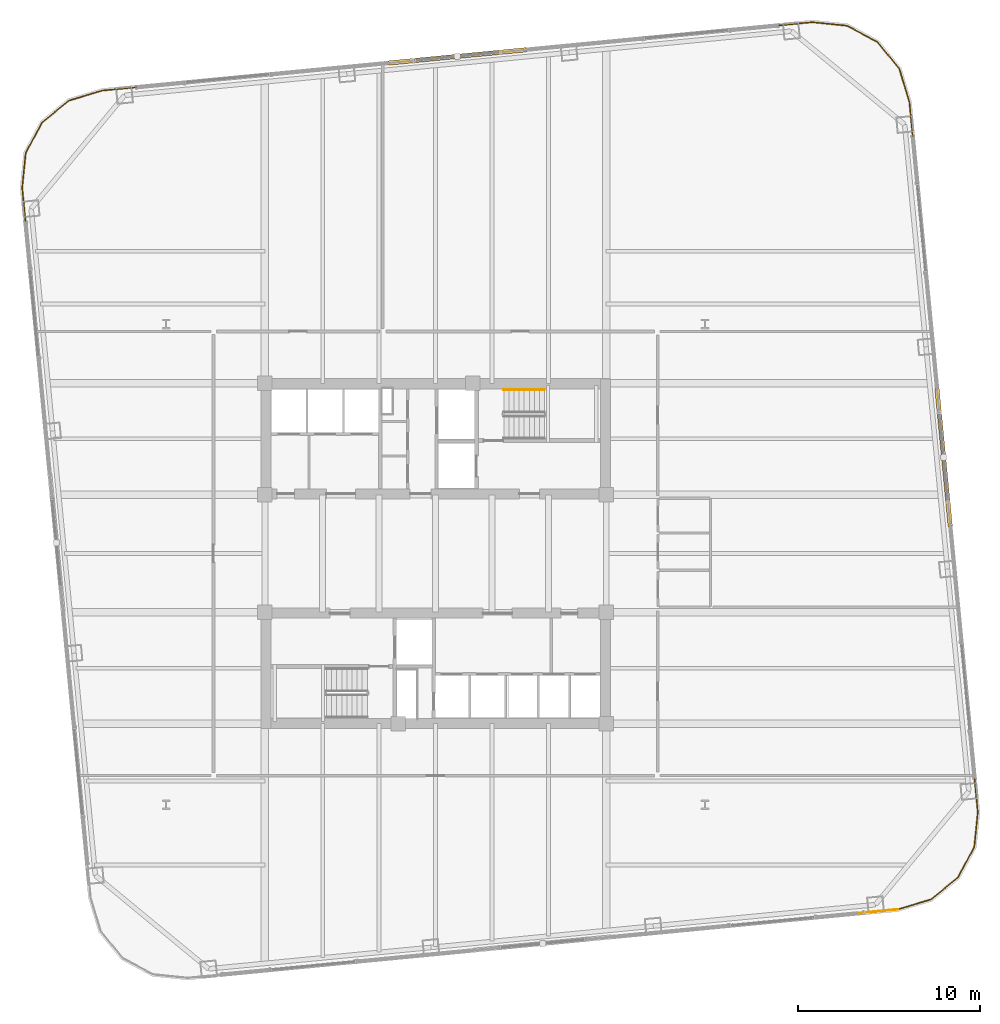
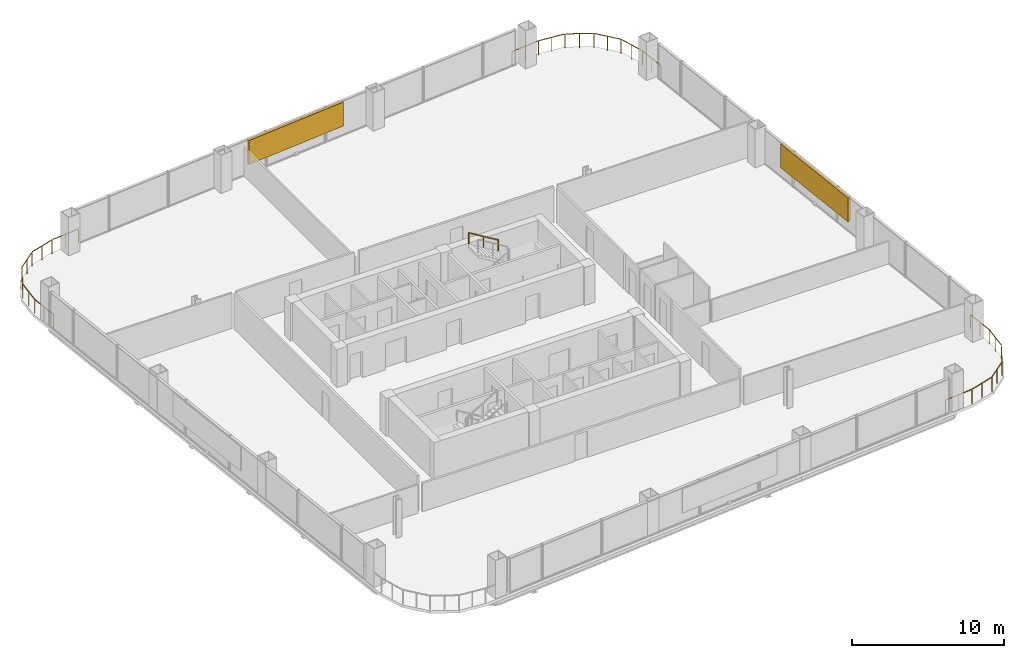
# One storey, part 27 of 27: 5 railings, 2 shading devices.
"""IFC4 building model written with IfcOpenShell, lengths in metres."""

from ifc_helpers import new_model, si_unit, direction, frame, origin, origin_2d, place, context, subcontext, project, spatial, rectangle, extrude, material, type_object, element, save


model = new_model("IFC4")

# Units and contexts
model_context = context("Model", 3, precision=1e-05, world=origin(), true_north=direction((0.0, 1.0)))
body_context = subcontext(model_context, "Body", "Model", "MODEL_VIEW")
ifc_project = project(units=[si_unit("LENGTHUNIT", "METRE"), si_unit("AREAUNIT", "SQUARE_METRE"), si_unit("VOLUMEUNIT", "CUBIC_METRE"), si_unit("PLANEANGLEUNIT", "RADIAN"), si_unit("MASSUNIT", "GRAM", prefix="KILO")], contexts=[model_context])

# Site, building, storey
site_placement = place(None, origin())
site = spatial("IfcSite", under=ifc_project, at=site_placement, CompositionType="ELEMENT")
building_placement = place(site_placement, origin())
building = spatial("IfcBuilding", under=site, at=building_placement, Name="Qhalaya Broadcast Tower", CompositionType="ELEMENT")
storey_placement = place(building_placement, frame((0.0, 0.0, 75.550048828125)))
storey = spatial("IfcBuildingStorey", under=building, at=storey_placement, Name="L21", CompositionType="ELEMENT", Elevation=75.550048828125)

# Railings
ifc_material_1 = material(Name="Powder-Coated Galvanised Steel", Category="steel")
railing_type_1 = type_object("IfcRailingType", Name="Stair Wall Handrail 900", PredefinedType="HANDRAIL", material=ifc_material_1)
railing_1_placement = place(storey_placement, frame((5.989990234375, 9.590087890625, 1.6943359375)))
element("IfcRailing", 1, at=railing_1_placement, inside=storey, type_object=railing_type_1, Name="L21 ST-1 Stair Handrail 2", PredefinedType="HANDRAIL", context=body_context, shape_type="SweptSolid", body=[
    extrude(rectangle(XDim=0.048095703125, YDim=0.048095703125, at=origin_2d()), frame((0.0, 0.0, 0.8759765625), z_axis=(-0.855512035549, 0.0, 0.517782924622), x_axis=(0.0, -1.0, 0.0)), (0.0, 0.0, 1.0), 2.618408203125),
    extrude(rectangle(XDim=0.0419921875, YDim=0.0419921875, at=origin_2d()), origin(), (0.0, 0.0, 1.0), 0.849853515625),
    extrude(rectangle(XDim=0.0419921875, YDim=0.0419921875, at=origin_2d()), frame((-1.1201171875, 0.0, 0.677734375)), (0.0, 0.0, 1.0), 0.849853515625),
    extrude(rectangle(XDim=0.0419921875, YDim=0.0419921875, at=origin_2d()), frame((-2.239990234375, 0.0, 1.355712890625)), (0.0, 0.0, 1.0), 0.849853515625),
])
railing_type_2 = type_object("IfcRailingType", Name="Terrace, Sky-Pool & Lookout Glass Balustrade 1150", PredefinedType="BALUSTRADE", material=ifc_material_1)
railing_2_placement = place(storey_placement, frame((25.38427734375, -18.949951171875, 0.0)))
element("IfcRailing", 2, at=railing_2_placement, inside=storey, type_object=railing_type_2, Name="L21 Rounded Corner Perimeter Guard 01", PredefinedType="BALUSTRADE", context=body_context, shape_type="SweptSolid", body=[
    extrude(rectangle(XDim=0.048095703125, YDim=0.048095703125, at=origin_2d()), frame((0.0, 0.0, 1.1259765625), z_axis=(-0.995402268864, -0.095782687057, 0.0), x_axis=(0.095782687057, -0.995402268864, 0.0)), (0.0, 0.0, 1.0), 2.1181640625),
    extrude(rectangle(XDim=0.0419921875, YDim=0.0419921875, at=origin_2d()), origin(), (0.0, 0.0, 1.0), 1.099853515625),
    extrude(rectangle(XDim=0.0419921875, YDim=0.0419921875, at=origin_2d()), frame((-1.05419921875, -0.1015625, 0.0)), (0.0, 0.0, 1.0), 1.099853515625),
    extrude(rectangle(XDim=0.0419921875, YDim=0.0419921875, at=origin_2d()), frame((-2.1083984375, -0.202880859375, 0.0)), (0.0, 0.0, 1.0), 1.099853515625),
])
railing_3_placement = place(storey_placement, frame((-22.501708984375, 18.583251953125, 0.0)))
element("IfcRailing", 3, at=railing_3_placement, inside=storey, type_object=railing_type_2, Name="L21 Rounded Corner Perimeter Guard 03", PredefinedType="BALUSTRADE", context=body_context, shape_type="SweptSolid", body=[
    extrude(rectangle(XDim=0.048095703125, YDim=0.048095703125, at=origin_2d()), frame((0.0, 0.0, 1.1259765625), z_axis=(-0.095782687057, 0.995402268864, 0.0), x_axis=(-0.995402268864, -0.095782687057, 0.0)), (0.0, 0.0, 1.0), 2.08935546875),
    extrude(rectangle(XDim=0.048095703125, YDim=0.048095703125, at=origin_2d()), frame((-0.199951171875, 2.13720703125, 1.1259765625), z_axis=(0.100071682341, 0.994980230152, 0.0), x_axis=(-0.994980230152, 0.100071682341, 0.0)), (0.0, 0.0, 1.0), 1.857421875),
    extrude(rectangle(XDim=0.048095703125, YDim=0.048095703125, at=origin_2d()), frame((0.00244140625, 4.039306640625, 1.1259765625), z_axis=(0.473342342286, 0.880878554058, 0.0), x_axis=(-0.880878554058, 0.473342342286, 0.0)), (0.0, 0.0, 1.0), 1.845458984375),
    extrude(rectangle(XDim=0.048095703125, YDim=0.048095703125, at=origin_2d()), frame((0.912109375, 5.708740234375, 1.1259765625), z_axis=(0.774420039683, 0.632671796541, 0.0), x_axis=(-0.632671796541, 0.774420039683, 0.0)), (0.0, 0.0, 1.0), 1.845458984375),
    extrude(rectangle(XDim=0.048095703125, YDim=0.048095703125, at=origin_2d()), frame((2.39111328125, 6.90283203125, 1.1259765625), z_axis=(0.95756627332, 0.288213171456, 0.0), x_axis=(-0.288213171456, 0.95756627332, 0.0)), (0.0, 0.0, 1.0), 1.857421875),
    extrude(rectangle(XDim=0.048095703125, YDim=0.048095703125, at=origin_2d()), frame((4.226318359375, 7.44921875, 1.1259765625), z_axis=(0.995391273094, 0.095896889673, 0.0), x_axis=(-0.095896889673, 0.995391273094, 0.0)), (0.0, 0.0, 1.0), 2.08935546875),
    extrude(rectangle(XDim=0.0419921875, YDim=0.0419921875, at=origin_2d()), origin(), (0.0, 0.0, 1.0), 1.099853515625),
    extrude(rectangle(XDim=0.0419921875, YDim=0.0419921875, at=origin_2d()), frame((-0.1015625, 1.05419921875, 0.0)), (0.0, 0.0, 1.0), 1.099853515625),
    extrude(rectangle(XDim=0.0419921875, YDim=0.0419921875, at=origin_2d()), frame((-0.202880859375, 2.1083984375, 0.0)), (0.0, 0.0, 1.0), 1.099853515625),
    extrude(rectangle(XDim=0.0419921875, YDim=0.0419921875, at=origin_2d()), frame((-0.10693359375, 3.06103515625, 0.0)), (0.0, 0.0, 1.0), 1.099853515625),
    extrude(rectangle(XDim=0.0419921875, YDim=0.0419921875, at=origin_2d()), frame((-0.01123046875, 4.013916015625, 0.0)), (0.0, 0.0, 1.0), 1.099853515625),
    extrude(rectangle(XDim=0.0419921875, YDim=0.0419921875, at=origin_2d()), frame((0.439208984375, 4.85205078125, 0.0)), (0.0, 0.0, 1.0), 1.099853515625),
    extrude(rectangle(XDim=0.0419921875, YDim=0.0419921875, at=origin_2d()), frame((0.8896484375, 5.6904296875, 0.0)), (0.0, 0.0, 1.0), 1.099853515625),
    extrude(rectangle(XDim=0.0419921875, YDim=0.0419921875, at=origin_2d()), frame((1.62646484375, 6.29248046875, 0.0)), (0.0, 0.0, 1.0), 1.099853515625),
    extrude(rectangle(XDim=0.0419921875, YDim=0.0419921875, at=origin_2d()), frame((2.363525390625, 6.89453125, 0.0)), (0.0, 0.0, 1.0), 1.099853515625),
    extrude(rectangle(XDim=0.0419921875, YDim=0.0419921875, at=origin_2d()), frame((3.280517578125, 7.17041015625, 0.0)), (0.0, 0.0, 1.0), 1.099853515625),
    extrude(rectangle(XDim=0.0419921875, YDim=0.0419921875, at=origin_2d()), frame((4.197509765625, 7.446533203125, 0.0)), (0.0, 0.0, 1.0), 1.099853515625),
    extrude(rectangle(XDim=0.0419921875, YDim=0.0419921875, at=origin_2d()), frame((5.251708984375, 7.548095703125, 0.0)), (0.0, 0.0, 1.0), 1.099853515625),
    extrude(rectangle(XDim=0.0419921875, YDim=0.0419921875, at=origin_2d()), frame((6.305908203125, 7.649658203125, 0.0)), (0.0, 0.0, 1.0), 1.099853515625),
])
railing_4_placement = place(storey_placement, frame((18.583251953125, 29.581787109375, 0.0)))
element("IfcRailing", 4, at=railing_4_placement, inside=storey, type_object=railing_type_2, Name="L21 Rounded Corner Perimeter Guard 04", PredefinedType="BALUSTRADE", context=body_context, shape_type="SweptSolid", body=[
    extrude(rectangle(XDim=0.048095703125, YDim=0.048095703125, at=origin_2d()), frame((0.0, 0.0, 1.1259765625), z_axis=(0.995402268864, 0.095782687057, 0.0), x_axis=(-0.095782687057, 0.995402268864, 0.0)), (0.0, 0.0, 1.0), 2.08935546875),
    extrude(rectangle(XDim=0.048095703125, YDim=0.048095703125, at=origin_2d()), frame((2.13720703125, 0.199951171875, 1.1259765625), z_axis=(0.994980230152, -0.100071682341, 0.0), x_axis=(0.100071682341, 0.994980230152, 0.0)), (0.0, 0.0, 1.0), 1.857421875),
    extrude(rectangle(XDim=0.048095703125, YDim=0.048095703125, at=origin_2d()), frame((4.039306640625, -0.00244140625, 1.1259765625), z_axis=(0.880878554058, -0.473342342286, 0.0), x_axis=(0.473342342286, 0.880878554058, 0.0)), (0.0, 0.0, 1.0), 1.845458984375),
    extrude(rectangle(XDim=0.048095703125, YDim=0.048095703125, at=origin_2d()), frame((5.708740234375, -0.912109375, 1.1259765625), z_axis=(0.632671796541, -0.774420039683, 0.0), x_axis=(0.774420039683, 0.632671796541, 0.0)), (0.0, 0.0, 1.0), 1.845458984375),
    extrude(rectangle(XDim=0.048095703125, YDim=0.048095703125, at=origin_2d()), frame((6.90283203125, -2.39111328125, 1.1259765625), z_axis=(0.288213171456, -0.95756627332, 0.0), x_axis=(0.95756627332, 0.288213171456, 0.0)), (0.0, 0.0, 1.0), 1.857421875),
    extrude(rectangle(XDim=0.048095703125, YDim=0.048095703125, at=origin_2d()), frame((7.44921875, -4.226318359375, 1.1259765625), z_axis=(0.095896889673, -0.995391273094, 0.0), x_axis=(0.995391273094, 0.095896889673, 0.0)), (0.0, 0.0, 1.0), 2.08935546875),
    extrude(rectangle(XDim=0.0419921875, YDim=0.0419921875, at=origin_2d()), origin(), (0.0, 0.0, 1.0), 1.099853515625),
    extrude(rectangle(XDim=0.0419921875, YDim=0.0419921875, at=origin_2d()), frame((1.05419921875, 0.1015625, 0.0)), (0.0, 0.0, 1.0), 1.099853515625),
    extrude(rectangle(XDim=0.0419921875, YDim=0.0419921875, at=origin_2d()), frame((2.1083984375, 0.202880859375, 0.0)), (0.0, 0.0, 1.0), 1.099853515625),
    extrude(rectangle(XDim=0.0419921875, YDim=0.0419921875, at=origin_2d()), frame((3.06103515625, 0.10693359375, 0.0)), (0.0, 0.0, 1.0), 1.099853515625),
    extrude(rectangle(XDim=0.0419921875, YDim=0.0419921875, at=origin_2d()), frame((4.013916015625, 0.01123046875, 0.0)), (0.0, 0.0, 1.0), 1.099853515625),
    extrude(rectangle(XDim=0.0419921875, YDim=0.0419921875, at=origin_2d()), frame((4.85205078125, -0.439208984375, 0.0)), (0.0, 0.0, 1.0), 1.099853515625),
    extrude(rectangle(XDim=0.0419921875, YDim=0.0419921875, at=origin_2d()), frame((5.6904296875, -0.8896484375, 0.0)), (0.0, 0.0, 1.0), 1.099853515625),
    extrude(rectangle(XDim=0.0419921875, YDim=0.0419921875, at=origin_2d()), frame((6.29248046875, -1.62646484375, 0.0)), (0.0, 0.0, 1.0), 1.099853515625),
    extrude(rectangle(XDim=0.0419921875, YDim=0.0419921875, at=origin_2d()), frame((6.89453125, -2.363525390625, 0.0)), (0.0, 0.0, 1.0), 1.099853515625),
    extrude(rectangle(XDim=0.0419921875, YDim=0.0419921875, at=origin_2d()), frame((7.17041015625, -3.280517578125, 0.0)), (0.0, 0.0, 1.0), 1.099853515625),
    extrude(rectangle(XDim=0.0419921875, YDim=0.0419921875, at=origin_2d()), frame((7.446533203125, -4.197509765625, 0.0)), (0.0, 0.0, 1.0), 1.099853515625),
    extrude(rectangle(XDim=0.0419921875, YDim=0.0419921875, at=origin_2d()), frame((7.548095703125, -5.251708984375, 0.0)), (0.0, 0.0, 1.0), 1.099853515625),
    extrude(rectangle(XDim=0.0419921875, YDim=0.0419921875, at=origin_2d()), frame((7.649658203125, -6.305908203125, 0.0)), (0.0, 0.0, 1.0), 1.099853515625),
])
railing_5_placement = place(storey_placement, frame((29.581787109375, -11.50341796875, 0.0)))
element("IfcRailing", 5, at=railing_5_placement, inside=storey, type_object=railing_type_2, Name="L21 Rounded Corner Perimeter Guard 05", PredefinedType="BALUSTRADE", context=body_context, shape_type="SweptSolid", body=[
    extrude(rectangle(XDim=0.048095703125, YDim=0.048095703125, at=origin_2d()), frame((0.0, 0.0, 1.1259765625), z_axis=(0.095782687057, -0.995402268864, 0.0), x_axis=(0.995402268864, 0.095782687057, 0.0)), (0.0, 0.0, 1.0), 2.08935546875),
    extrude(rectangle(XDim=0.048095703125, YDim=0.048095703125, at=origin_2d()), frame((0.199951171875, -2.13720703125, 1.1259765625), z_axis=(-0.100084377028, -0.994978953282, 0.0), x_axis=(0.994978953282, -0.100084377028, 0.0)), (0.0, 0.0, 1.0), 1.857177734375),
    extrude(rectangle(XDim=0.048095703125, YDim=0.048095703125, at=origin_2d()), frame((-0.00244140625, -4.0390625, 1.1259765625), z_axis=(-0.473288861424, -0.880907290044, 0.0), x_axis=(0.880907290044, -0.473288861424, 0.0)), (0.0, 0.0, 1.0), 1.845703125),
    extrude(rectangle(XDim=0.048095703125, YDim=0.048095703125, at=origin_2d()), frame((-0.912109375, -5.708740234375, 1.1259765625), z_axis=(-0.774420039683, -0.632671796541, 0.0), x_axis=(0.632671796541, -0.774420039683, 0.0)), (0.0, 0.0, 1.0), 1.845458984375),
    extrude(rectangle(XDim=0.048095703125, YDim=0.048095703125, at=origin_2d()), frame((-2.39111328125, -6.90283203125, 1.1259765625), z_axis=(-0.95756627332, -0.288213171456, 0.0), x_axis=(0.288213171456, -0.95756627332, 0.0)), (0.0, 0.0, 1.0), 1.886474609375),
    extrude(rectangle(XDim=0.0419921875, YDim=0.0419921875, at=origin_2d()), origin(), (0.0, 0.0, 1.0), 1.099853515625),
    extrude(rectangle(XDim=0.0419921875, YDim=0.0419921875, at=origin_2d()), frame((0.1015625, -1.05419921875, 0.0)), (0.0, 0.0, 1.0), 1.099853515625),
    extrude(rectangle(XDim=0.0419921875, YDim=0.0419921875, at=origin_2d()), frame((0.202880859375, -2.1083984375, 0.0)), (0.0, 0.0, 1.0), 1.099853515625),
    extrude(rectangle(XDim=0.0419921875, YDim=0.0419921875, at=origin_2d()), frame((0.10693359375, -3.06103515625, 0.0)), (0.0, 0.0, 1.0), 1.099853515625),
    extrude(rectangle(XDim=0.0419921875, YDim=0.0419921875, at=origin_2d()), frame((0.01123046875, -4.013671875, 0.0)), (0.0, 0.0, 1.0), 1.099853515625),
    extrude(rectangle(XDim=0.0419921875, YDim=0.0419921875, at=origin_2d()), frame((-0.439208984375, -4.85205078125, 0.0)), (0.0, 0.0, 1.0), 1.099853515625),
    extrude(rectangle(XDim=0.0419921875, YDim=0.0419921875, at=origin_2d()), frame((-0.8896484375, -5.6904296875, 0.0)), (0.0, 0.0, 1.0), 1.099853515625),
    extrude(rectangle(XDim=0.0419921875, YDim=0.0419921875, at=origin_2d()), frame((-1.62646484375, -6.29248046875, 0.0)), (0.0, 0.0, 1.0), 1.099853515625),
    extrude(rectangle(XDim=0.0419921875, YDim=0.0419921875, at=origin_2d()), frame((-2.363525390625, -6.89453125, 0.0)), (0.0, 0.0, 1.0), 1.099853515625),
    extrude(rectangle(XDim=0.0419921875, YDim=0.0419921875, at=origin_2d()), frame((-3.280517578125, -7.17041015625, 0.0)), (0.0, 0.0, 1.0), 1.099853515625),
    extrude(rectangle(XDim=0.0419921875, YDim=0.0419921875, at=origin_2d()), frame((-4.197509765625, -7.446533203125, 0.0)), (0.0, 0.0, 1.0), 1.099853515625),
])

# Shading devices
ifc_material_2 = material(Name="Fired Architectural Terracotta", Category="masonry")
shading_device_type = type_object("IfcShadingDeviceType", Name="Terracotta Baguette Solar Screen Assembly TBS-01", PredefinedType="USERDEFINED", material=ifc_material_2)
for number, where, z_axis, x_axis, name in (
    (6, (27.9072265625, 5.88623046875, 0.79248046875), (0.0, 0.0, 1.0), (-0.09584575252, 0.995396198367, 0.0), "L21 Fired Terracotta Baguette Screen E"),
    (7, (1.193603515625, 27.9072265625, 0.79248046875), (0.0, 0.0, 1.0), (-0.995396198367, -0.09584575252, 0.0), "L21 Fired Terracotta Baguette Screen N"),
):
    element("IfcShadingDevice", number, at=place(storey_placement, frame(where, z_axis=z_axis, x_axis=x_axis)), inside=storey, type_object=shading_device_type, Name=name, ObjectType="BAGUETTE", PredefinedType="USERDEFINED", context=body_context, shape_type="SweptSolid", body=[
        extrude(rectangle(XDim=7.60009765625, YDim=0.239990234375, at=origin_2d()), origin(), (0.0, 0.0, 1.0), 1.924072265625),
    ])

save(model, "model.ifc")
